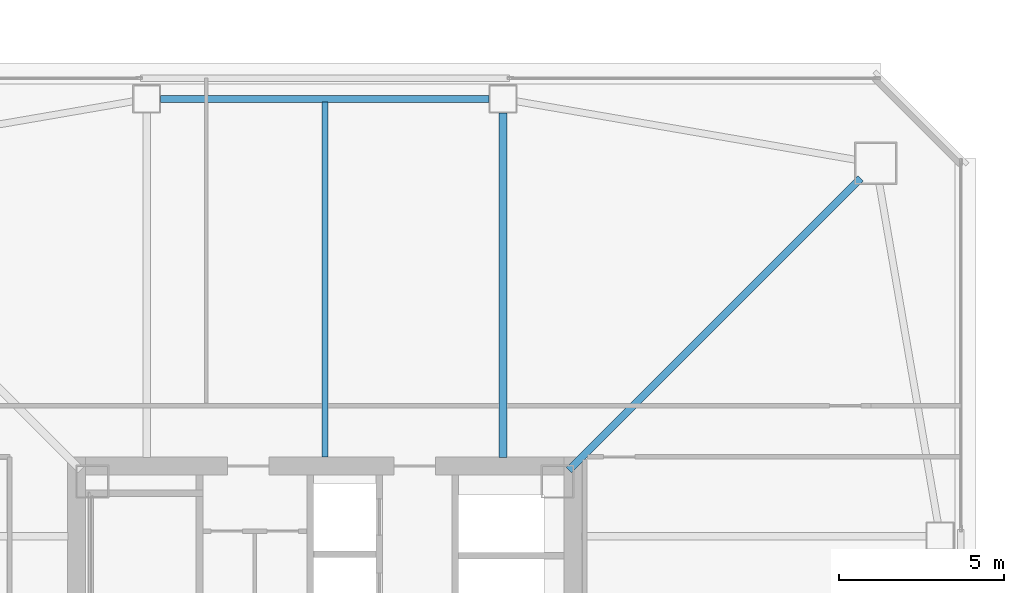
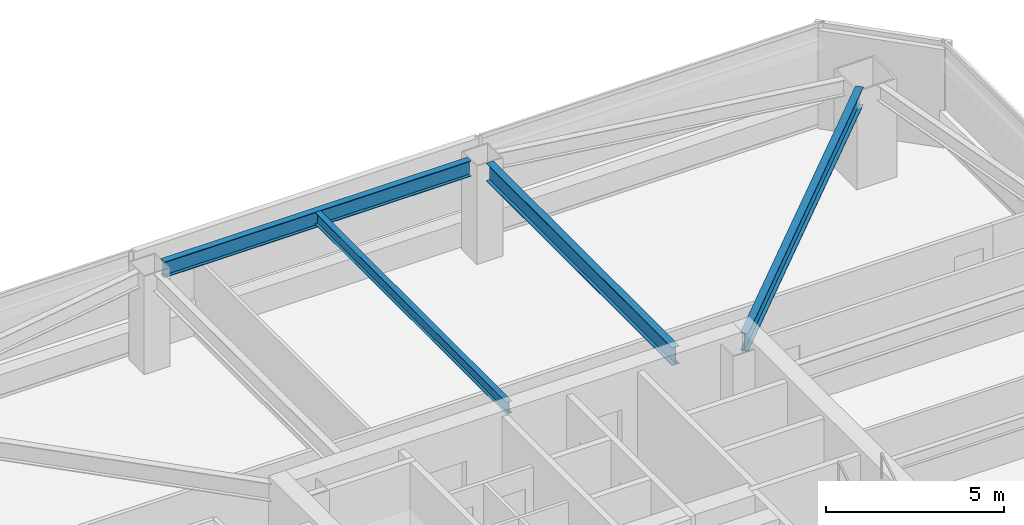
# One storey, part 13 of 41: 4 beams.
"""IFC4 building model written with IfcOpenShell, lengths in metres."""

from ifc_helpers import new_model, si_unit, direction, frame, origin, origin_2d, place, context, subcontext, project, spatial, i_section, extrude, material, material_profile, profile_set, type_object, element, save


model = new_model("IFC4")

# Units and contexts
model_context = context("Model", 3, precision=1e-05, world=origin(), true_north=direction((0.0, 1.0)))
body_context = subcontext(model_context, "Body", "Model", "MODEL_VIEW")
ifc_project = project(units=[si_unit("LENGTHUNIT", "METRE"), si_unit("AREAUNIT", "SQUARE_METRE"), si_unit("VOLUMEUNIT", "CUBIC_METRE"), si_unit("PLANEANGLEUNIT", "RADIAN"), si_unit("MASSUNIT", "GRAM", prefix="KILO")], contexts=[model_context])

# Site, building, storey
site_placement = place(None, origin())
site = spatial("IfcSite", under=ifc_project, at=site_placement, CompositionType="ELEMENT")
building_placement = place(site_placement, origin())
building = spatial("IfcBuilding", under=site, at=building_placement, Name="Tashvorn Skyway Center", CompositionType="ELEMENT")
storey_placement = place(building_placement, frame((0.0, 0.0, 117.949951171875)))
storey = spatial("IfcBuildingStorey", under=building, at=storey_placement, Name="L31", CompositionType="ELEMENT", Elevation=117.949951171875)

# Beams
ifc_material = material(Name="Steel ASTM A992 Grade 50", Category="steel")
ifc_material_profile_1 = material_profile(ifc_material, i_section(OverallWidth=0.22998046875, OverallDepth=0.616943359375, WebThickness=0.01318359375, FlangeThickness=0.022216796875, at=origin_2d()), Name="W24X94")
ifc_profile_set_1 = profile_set([ifc_material_profile_1], Name="Steel ASTM A992 Grade 50")
beam_type_1 = type_object("IfcBeamType", Name="BM-BEAM-W24X94", PredefinedType="BEAM", material=ifc_profile_set_1)
beam_1_placement = place(storey_placement, frame((58.243896484375, 48.243896484375, 3.0615234375), z_axis=(-0.707106781187, -0.707106781187, 0.0), x_axis=(0.707106781187, -0.707106781187, 0.0)))
element("IfcBeam", 1, at=beam_1_placement, inside=storey, type_object=beam_type_1, Name="Tower 1 L31 Primary Floor Girder MC-NE", PredefinedType="BEAM", context=body_context, shape_type="SweptSolid", body=[
    extrude(i_section(OverallWidth=0.22998046875, OverallDepth=0.616943359375, WebThickness=0.01318359375, FlangeThickness=0.022216796875, at=origin_2d()), origin(), (0.0, 0.0, 1.0), 12.50732421875),
])
beam_2_placement = place(storey_placement, frame((47.39990234375, 50.22998046875, 3.0615234375), z_axis=(0.0, -1.0, 0.0), x_axis=(1.0, 0.0, 0.0)))
element("IfcBeam", 2, at=beam_2_placement, inside=storey, type_object=beam_type_1, Name="Tower 1 L31 Primary Floor Girder FC-N1", PredefinedType="BEAM", context=body_context, shape_type="SweptSolid", body=[
    extrude(i_section(OverallWidth=0.22998046875, OverallDepth=0.616943359375, WebThickness=0.01318359375, FlangeThickness=0.022216796875, at=origin_2d()), origin(), (0.0, 0.0, 1.0), 10.449951171875),
])
ifc_material_profile_2 = material_profile(ifc_material, i_section(OverallWidth=0.177978515625, OverallDepth=0.406005859375, WebThickness=0.0078125, FlangeThickness=0.0126953125, at=origin_2d()), Name="W16X40")
ifc_profile_set_2 = profile_set([ifc_material_profile_2], Name="Steel ASTM A992 Grade 50")
beam_type_2 = type_object("IfcBeamType", Name="BM-JOIST-W16X40", PredefinedType="JOIST", material=ifc_profile_set_2)
beam_3_placement = place(storey_placement, frame((42.0, 39.7900390625, 3.1669921875), z_axis=(0.0, 1.0, 0.0), x_axis=(-1.0, 0.0, 0.0)))
element("IfcBeam", 3, at=beam_3_placement, inside=storey, type_object=beam_type_2, Name="Tower 1 L31 Secondary Composite Joist JN", PredefinedType="JOIST", context=body_context, shape_type="SweptSolid", body=[
    extrude(i_section(OverallWidth=0.177978515625, OverallDepth=0.406005859375, WebThickness=0.0078125, FlangeThickness=0.0126953125, at=origin_2d()), origin(), (0.0, 0.0, 1.0), 10.762451171875),
])
ifc_material_profile_3 = material_profile(ifc_material, i_section(OverallWidth=0.2109375, OverallDepth=0.5390625, WebThickness=0.01171875, FlangeThickness=0.018798828125, at=origin_2d()), Name="W21X73")
ifc_profile_set_3 = profile_set([ifc_material_profile_3], Name="Steel ASTM A992 Grade 50")
beam_type_3 = type_object("IfcBeamType", Name="BM-SPANDREL-W21X73", PredefinedType="SPANDREL", material=ifc_profile_set_3)
beam_4_placement = place(storey_placement, frame((46.97998046875, 50.64990234375, 3.1005859375), z_axis=(-1.0, 0.0, 0.0), x_axis=(0.0, -1.0, 0.0)))
element("IfcBeam", 4, at=beam_4_placement, inside=storey, type_object=beam_type_3, Name="Tower 1 L31 Spandrel Beam 08", PredefinedType="SPANDREL", context=body_context, shape_type="SweptSolid", body=[
    extrude(i_section(OverallWidth=0.2109375, OverallDepth=0.5390625, WebThickness=0.01171875, FlangeThickness=0.018798828125, at=origin_2d()), origin(), (0.0, 0.0, 1.0), 9.9599609375),
])

save(model, "model.ifc")
